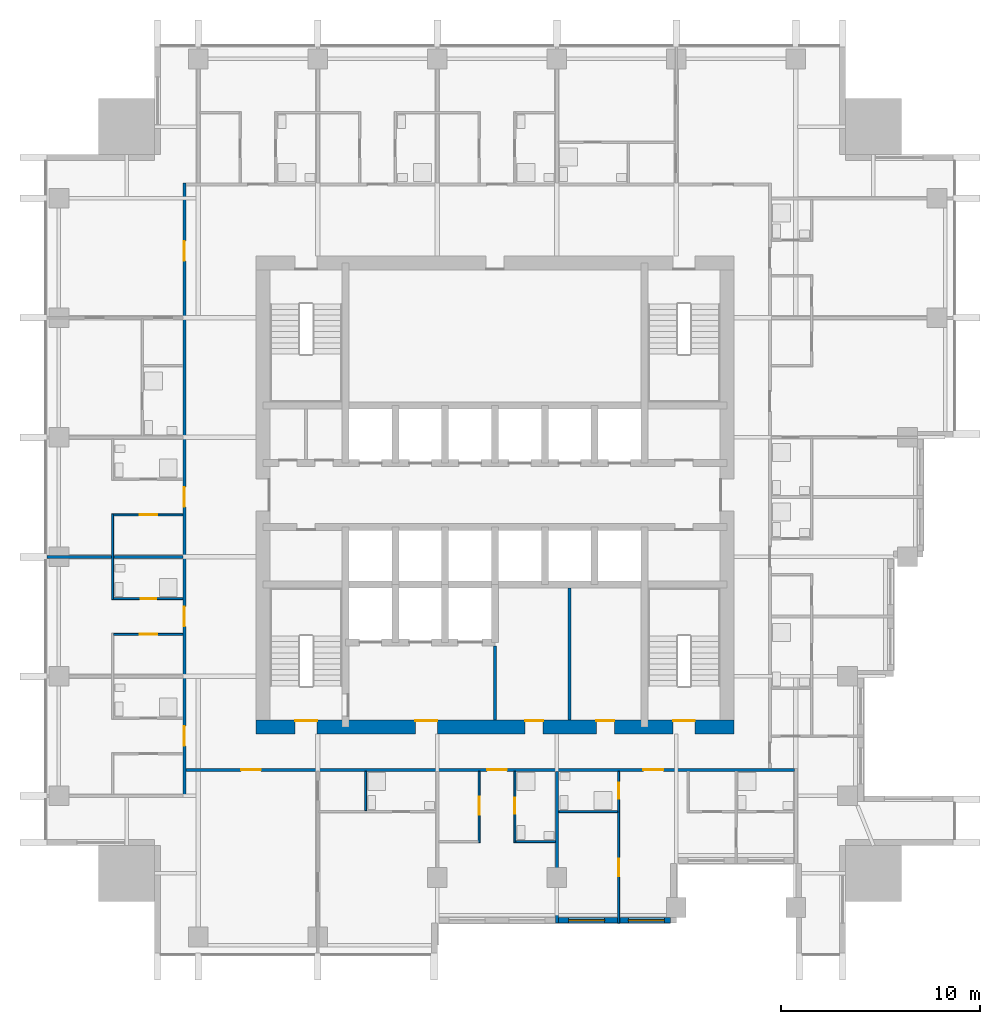
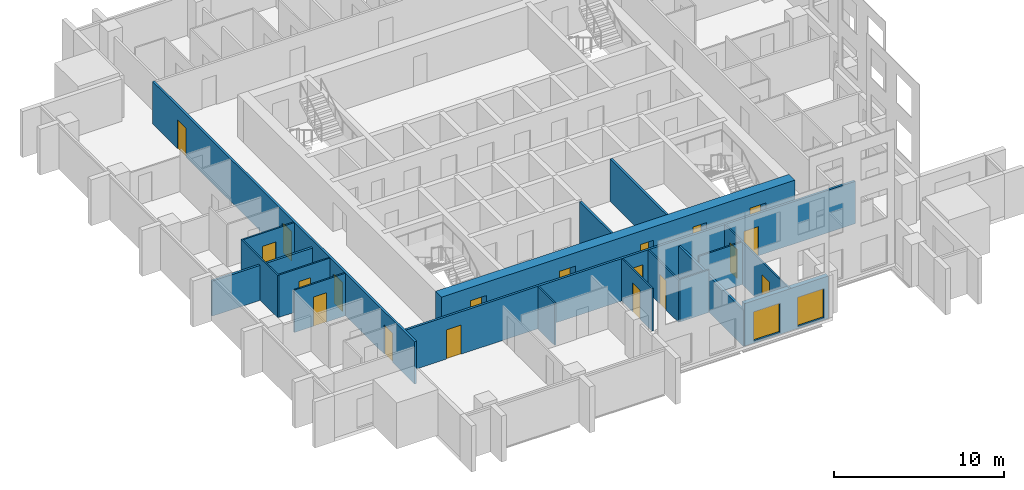
# One storey, part 4 of 11: 19 doors, 18 walls, 2 windows, 21 openings.
"""IFC4 building model written with IfcOpenShell, lengths in metres."""

from ifc_helpers import new_model, si_unit, direction, frame, frame_2d, origin, place, context, subcontext, project, spatial, rectangle, extrude, material, layer, layer_set, type_object, element, fill, save


model = new_model("IFC4")

# Units and contexts
model_context = context("Model", 3, precision=1e-05, world=origin(), true_north=direction((0.0, 1.0)))
body_context = subcontext(model_context, "Body", "Model", "MODEL_VIEW")
ifc_project = project(units=[si_unit("LENGTHUNIT", "METRE"), si_unit("AREAUNIT", "SQUARE_METRE"), si_unit("VOLUMEUNIT", "CUBIC_METRE"), si_unit("PLANEANGLEUNIT", "RADIAN"), si_unit("MASSUNIT", "GRAM", prefix="KILO")], contexts=[model_context])

# Site, building, storey
site_placement = place(None, origin())
site = spatial("IfcSite", under=ifc_project, at=site_placement, CompositionType="ELEMENT")
building_placement = place(site_placement, origin())
building = spatial("IfcBuilding", under=site, at=building_placement, Name="Amberfall Residences", CompositionType="ELEMENT")
storey_placement = place(building_placement, frame((0.0, 0.0, 154.89990234375)))
storey = spatial("IfcBuildingStorey", under=building, at=storey_placement, Name="L41", CompositionType="ELEMENT", Elevation=154.89990234375)

# Wall, openings, windows
ifc_material_1 = material(Name="Pale stone cladding on insulated backing", Category="masonry")
ifc_layer_1 = layer(ifc_material_1, 0.300048828125)
ifc_layer_set_1 = layer_set([ifc_layer_1], Name="Bronze clad wall 300")
wall_type_1 = type_object("IfcWallType", Name="Bronze clad wall 300", PredefinedType="SOLIDWALL", material=ifc_layer_set_1)
wall_1_placement = place(storey_placement, frame((77.60009765625, 24.14990234375, 0.0), z_axis=(0.0, 0.0, 1.0), x_axis=(1.0, 0.0, 0.0)))
wall_1 = element("IfcWall", 1, at=wall_1_placement, inside=storey, type_object=wall_type_1, Name="Stone wall L41 S", PredefinedType="SOLIDWALL", context=body_context, shape_type="SweptSolid", body=[
    extrude(rectangle(XDim=5.699951171875, YDim=0.300048828125, at=frame_2d((2.85009765625, 0.0))), origin(), (0.0, 0.0, 1.0), 3.050048828125),
])
opening_1_placement = place(wall_1_placement, frame((0.60009765625, 0.0, 0.14990234375)))
opening_1 = element("IfcOpeningElement", 2, at=opening_1_placement, cuts=wall_1, Name="Opening WN6", PredefinedType="OPENING", context=body_context, shape_type="SweptSolid", body=[
    extrude(rectangle(XDim=1.800048828125, YDim=2.10009765625, at=frame_2d((0.89990234375, 1.050048828125))), frame((0.0, 0.159912109375, 0.0), z_axis=(0.0, -1.0, 0.0), x_axis=(1.0, 0.0, 0.0)), (0.0, 0.0, 1.0), 0.320068359375),
])
opening_2_placement = place(wall_1_placement, frame((3.60009765625, 0.0, 0.14990234375)))
opening_2 = element("IfcOpeningElement", 3, at=opening_2_placement, cuts=wall_1, Name="Opening WN6", PredefinedType="OPENING", context=body_context, shape_type="SweptSolid", body=[
    extrude(rectangle(XDim=1.800048828125, YDim=2.10009765625, at=frame_2d((0.89990234375, 1.050048828125))), frame((0.0, 0.159912109375, 0.0), z_axis=(0.0, -1.0, 0.0), x_axis=(1.0, 0.0, 0.0)), (0.0, 0.0, 1.0), 0.320068359375),
])
ifc_material_2 = material(Name="Bronze aluminium framed glazing", Category="aluminium")
window_type = type_object("IfcWindowType", Name="Glazed opening 1800 x 2100 bronze", PartitioningType="DOUBLE_PANEL_VERTICAL", PredefinedType="WINDOW", material=ifc_material_2)
window_1_placement = place(opening_1_placement, origin())
window_1 = element("IfcWindow", 4, at=window_1_placement, inside=storey, type_object=window_type, Name="Window L41 S", OverallHeight=2.10009765625, OverallWidth=1.800048828125, PartitioningType="DOUBLE_PANEL_VERTICAL", PredefinedType="WINDOW", context=body_context, shape_type="SweptSolid", body=[
    extrude(rectangle(XDim=1.800048828125, YDim=2.10009765625, at=frame_2d((0.89990234375, 1.050048828125))), frame((0.0, 0.030029296875, 0.0), z_axis=(0.0, -1.0, 0.0), x_axis=(1.0, 0.0, 0.0)), (0.0, 0.0, 1.0), 0.06005859375),
])
fill(opening_1, window_1)
window_2_placement = place(opening_2_placement, origin())
window_2 = element("IfcWindow", 5, at=window_2_placement, inside=storey, type_object=window_type, Name="Window L41 S", OverallHeight=2.10009765625, OverallWidth=1.800048828125, PartitioningType="DOUBLE_PANEL_VERTICAL", PredefinedType="WINDOW", context=body_context, shape_type="SweptSolid", body=[
    extrude(rectangle(XDim=1.800048828125, YDim=2.10009765625, at=frame_2d((0.89990234375, 1.050048828125))), frame((0.0, 0.030029296875, 0.0), z_axis=(0.0, -1.0, 0.0), x_axis=(1.0, 0.0, 0.0)), (0.0, 0.0, 1.0), 0.06005859375),
])
fill(opening_2, window_2)

# Wall, openings, doors
ifc_material_3 = material(Name="Concrete C60", Category="concrete")
ifc_layer_2 = layer(ifc_material_3, 0.699951171875)
ifc_layer_set_2 = layer_set([ifc_layer_2], Name="Core wall 700 C60")
wall_type_2 = type_object("IfcWallType", Name="Core wall 700 C60", PredefinedType="SHEAR", material=ifc_layer_set_2)
wall_2_placement = place(storey_placement, frame((62.5, 33.85009765625, 0.0), z_axis=(0.0, 0.0, 1.0), x_axis=(1.0, 0.0, 0.0)))
wall_2 = element("IfcWall", 6, at=wall_2_placement, inside=storey, type_object=wall_type_2, Name="Core wall RW5 L41 OS", PredefinedType="SHEAR", context=body_context, shape_type="SweptSolid", body=[
    extrude(rectangle(XDim=24.0, YDim=0.699951171875, at=frame_2d((12.0, 0.0))), origin(), (0.0, 0.0, 1.0), 3.050048828125),
])
opening_3_placement = place(wall_2_placement, frame((1.96240234375, 0.0, 0.0)))
opening_3 = element("IfcOpeningElement", 7, at=opening_3_placement, cuts=wall_2, Name="Opening SD1", PredefinedType="OPENING", context=body_context, shape_type="SweptSolid", body=[
    extrude(rectangle(XDim=1.10009765625, YDim=2.10009765625, at=frame_2d((0.550048828125, 1.050048828125))), frame((0.0, 0.35986328125, 0.0), z_axis=(0.0, -1.0, 0.0), x_axis=(1.0, 0.0, 0.0)), (0.0, 0.0, 1.0), 0.719970703125),
])
opening_4_placement = place(wall_2_placement, frame((20.9375, 0.0, 0.0)))
opening_4 = element("IfcOpeningElement", 8, at=opening_4_placement, cuts=wall_2, Name="Opening SD1", PredefinedType="OPENING", context=body_context, shape_type="SweptSolid", body=[
    extrude(rectangle(XDim=1.10009765625, YDim=2.10009765625, at=frame_2d((0.550048828125, 1.050048828125))), frame((0.0, 0.35986328125, 0.0), z_axis=(0.0, -1.0, 0.0), x_axis=(1.0, 0.0, 0.0)), (0.0, 0.0, 1.0), 0.719970703125),
])
opening_5_placement = place(wall_2_placement, frame((8.0, 0.0, 0.0)))
opening_5 = element("IfcOpeningElement", 9, at=opening_5_placement, cuts=wall_2, Name="Opening FL1", PredefinedType="OPENING", context=body_context, shape_type="SweptSolid", body=[
    extrude(rectangle(XDim=1.10009765625, YDim=2.10009765625, at=frame_2d((0.550048828125, 1.050048828125))), frame((0.0, 0.35986328125, 0.0), z_axis=(0.0, -1.0, 0.0), x_axis=(1.0, 0.0, 0.0)), (0.0, 0.0, 1.0), 0.719970703125),
])
opening_6_placement = place(wall_2_placement, frame((13.512451171875, 0.0, 0.0)))
opening_6 = element("IfcOpeningElement", 10, at=opening_6_placement, cuts=wall_2, Name="Opening RD1", PredefinedType="OPENING", context=body_context, shape_type="SweptSolid", body=[
    extrude(rectangle(XDim=0.89990234375, YDim=2.10009765625, at=frame_2d((0.449951171875, 1.050048828125))), frame((0.0, 0.35986328125, 0.0), z_axis=(0.0, -1.0, 0.0), x_axis=(1.0, 0.0, 0.0)), (0.0, 0.0, 1.0), 0.719970703125),
])
opening_7_placement = place(wall_2_placement, frame((17.08740234375, 0.0, 0.0)))
opening_7 = element("IfcOpeningElement", 11, at=opening_7_placement, cuts=wall_2, Name="Opening RD1", PredefinedType="OPENING", context=body_context, shape_type="SweptSolid", body=[
    extrude(rectangle(XDim=0.89990234375, YDim=2.10009765625, at=frame_2d((0.449951171875, 1.050048828125))), frame((0.0, 0.35986328125, 0.0), z_axis=(0.0, -1.0, 0.0), x_axis=(1.0, 0.0, 0.0)), (0.0, 0.0, 1.0), 0.719970703125),
])
ifc_material_4 = material(Name="Steel fire door set", Category="steel")
door_type_1 = type_object("IfcDoorType", Name="Firefighting lobby door 1100 x 2100", OperationType="SINGLE_SWING_LEFT", PredefinedType="DOOR", material=ifc_material_4)
door_1_placement = place(opening_5_placement, origin())
door_1 = element("IfcDoor", 12, at=door_1_placement, inside=storey, type_object=door_type_1, Name="FL1 L41", OperationType="SINGLE_SWING_LEFT", OverallHeight=2.10009765625, OverallWidth=1.10009765625, PredefinedType="DOOR", context=body_context, shape_type="SweptSolid", body=[
    extrude(rectangle(XDim=1.10009765625, YDim=2.10009765625, at=frame_2d((0.550048828125, 1.050048828125))), frame((0.0, 0.33740234375, 0.0), z_axis=(0.0, -1.0, 0.0), x_axis=(1.0, 0.0, 0.0)), (0.0, 0.0, 1.0), 0.050048828125),
])
fill(opening_5, door_1)
door_type_2 = type_object("IfcDoorType", Name="Service room door 900 x 2100", OperationType="SINGLE_SWING_LEFT", PredefinedType="DOOR", material=ifc_material_4)
door_2_placement = place(opening_6_placement, origin())
door_2 = element("IfcDoor", 13, at=door_2_placement, inside=storey, type_object=door_type_2, Name="RD1 L41", OperationType="SINGLE_SWING_LEFT", OverallHeight=2.10009765625, OverallWidth=0.89990234375, PredefinedType="DOOR", context=body_context, shape_type="SweptSolid", body=[
    extrude(rectangle(XDim=0.89990234375, YDim=2.10009765625, at=frame_2d((0.449951171875, 1.050048828125))), frame((0.0, 0.33740234375, 0.0), z_axis=(0.0, -1.0, 0.0), x_axis=(1.0, 0.0, 0.0)), (0.0, 0.0, 1.0), 0.050048828125),
])
fill(opening_6, door_2)
door_3_placement = place(opening_7_placement, origin())
door_3 = element("IfcDoor", 14, at=door_3_placement, inside=storey, type_object=door_type_2, Name="RD1 L41", OperationType="SINGLE_SWING_LEFT", OverallHeight=2.10009765625, OverallWidth=0.89990234375, PredefinedType="DOOR", context=body_context, shape_type="SweptSolid", body=[
    extrude(rectangle(XDim=0.89990234375, YDim=2.10009765625, at=frame_2d((0.449951171875, 1.050048828125))), frame((0.0, 0.33740234375, 0.0), z_axis=(0.0, -1.0, 0.0), x_axis=(1.0, 0.0, 0.0)), (0.0, 0.0, 1.0), 0.050048828125),
])
fill(opening_7, door_3)
door_type_3 = type_object("IfcDoorType", Name="Stair door 1100 x 2100", OperationType="SINGLE_SWING_LEFT", PredefinedType="DOOR", material=ifc_material_4)
door_4_placement = place(opening_3_placement, origin())
door_4 = element("IfcDoor", 15, at=door_4_placement, inside=storey, type_object=door_type_3, Name="SD1 L41", OperationType="SINGLE_SWING_LEFT", OverallHeight=2.10009765625, OverallWidth=1.10009765625, PredefinedType="DOOR", context=body_context, shape_type="SweptSolid", body=[
    extrude(rectangle(XDim=1.10009765625, YDim=2.10009765625, at=frame_2d((0.550048828125, 1.050048828125))), frame((0.0, 0.33740234375, 0.0), z_axis=(0.0, -1.0, 0.0), x_axis=(1.0, 0.0, 0.0)), (0.0, 0.0, 1.0), 0.050048828125),
])
fill(opening_3, door_4)
door_5_placement = place(opening_4_placement, origin())
door_5 = element("IfcDoor", 16, at=door_5_placement, inside=storey, type_object=door_type_3, Name="SD1 L41", OperationType="SINGLE_SWING_RIGHT", OverallHeight=2.10009765625, OverallWidth=1.10009765625, PredefinedType="DOOR", context=body_context, shape_type="SweptSolid", body=[
    extrude(rectangle(XDim=1.10009765625, YDim=2.10009765625, at=frame_2d((0.550048828125, 1.050048828125))), frame((0.0, 0.33740234375, 0.0), z_axis=(0.0, -1.0, 0.0), x_axis=(1.0, 0.0, 0.0)), (0.0, 0.0, 1.0), 0.050048828125),
])
fill(opening_4, door_5)

# Walls
ifc_material_5 = material(Name="Gypsum board on metal stud")
ifc_layer_3 = layer(ifc_material_5, 0.10009765625)
ifc_layer_set_3 = layer_set([ifc_layer_3], Name="Flat partition 100")
wall_type_3 = type_object("IfcWallType", Name="Flat partition 100", PredefinedType="PARTITIONING", material=ifc_layer_set_3)
wall_3_placement = place(storey_placement, frame((55.300048828125, 40.25, 0.0), z_axis=(0.0, 0.0, 1.0), x_axis=(0.0, 1.0, 0.0)))
element("IfcWall", 17, at=wall_3_placement, inside=storey, type_object=wall_type_3, Name="Partition 003", PredefinedType="PARTITIONING", context=body_context, shape_type="SweptSolid", body=[
    extrude(rectangle(XDim=4.300048828125, YDim=0.10009765625, at=frame_2d((2.14990234375, 0.0))), origin(), (0.0, 0.0, 1.0), 3.050048828125),
])
wall_4_placement = place(storey_placement, frame((68.0, 29.64990234375, 0.0), z_axis=(0.0, 0.0, 1.0), x_axis=(0.0, 1.0, 0.0)))
element("IfcWall", 18, at=wall_4_placement, inside=storey, type_object=wall_type_3, Name="Partition 010", PredefinedType="PARTITIONING", context=body_context, shape_type="SweptSolid", body=[
    extrude(rectangle(XDim=1.97509765625, YDim=0.10009765625, at=frame_2d((0.987548828125, 0.0))), origin(), (0.0, 0.0, 1.0), 3.050048828125),
])

# Wall, opening, door
wall_5_placement = place(storey_placement, frame((73.699951171875, 28.050048828125, 0.0), z_axis=(0.0, 0.0, 1.0), x_axis=(0.0, 1.0, 0.0)))
wall_5 = element("IfcWall", 19, at=wall_5_placement, inside=storey, type_object=wall_type_3, Name="Partition 012", PredefinedType="PARTITIONING", context=body_context, shape_type="SweptSolid", body=[
    extrude(rectangle(XDim=3.574951171875, YDim=0.10009765625, at=frame_2d((1.78759765625, 0.0))), origin(), (0.0, 0.0, 1.0), 3.050048828125),
])
opening_8_placement = place(wall_5_placement, frame((1.39990234375, 0.0, 0.0)))
opening_8 = element("IfcOpeningElement", 20, at=opening_8_placement, cuts=wall_5, Name="Opening D41", PredefinedType="OPENING", context=body_context, shape_type="SweptSolid", body=[
    extrude(rectangle(XDim=0.89990234375, YDim=2.10009765625, at=frame_2d((0.449951171875, 1.050048828125))), frame((0.0, 0.06005859375, 0.0), z_axis=(0.0, -1.0, 0.0), x_axis=(1.0, 0.0, 0.0)), (0.0, 0.0, 1.0), 0.1201171875),
])
ifc_material_6 = material(Name="Timber", Category="wood")
door_type_4 = type_object("IfcDoorType", Name="Internal door 900 x 2100", OperationType="SINGLE_SWING_LEFT", PredefinedType="DOOR", material=ifc_material_6)
door_6_placement = place(opening_8_placement, origin())
door_6 = element("IfcDoor", 21, at=door_6_placement, inside=storey, type_object=door_type_4, Name="Door 4102 kitchen", OperationType="SINGLE_SWING_LEFT", OverallHeight=2.10009765625, OverallWidth=0.89990234375, PredefinedType="DOOR", context=body_context, shape_type="SweptSolid", body=[
    extrude(rectangle(XDim=0.89990234375, YDim=2.10009765625, at=frame_2d((0.449951171875, 1.050048828125))), frame((0.0, 0.02490234375, 0.0), z_axis=(0.0, -1.0, 0.0), x_axis=(1.0, 0.0, 0.0)), (0.0, 0.0, 1.0), 0.050048828125),
])
fill(opening_8, door_6)

wall_6_placement = place(storey_placement, frame((75.5, 31.625, 0.0), z_axis=(0.0, 0.0, 1.0), x_axis=(0.0, -1.0, 0.0)))
wall_6 = element("IfcWall", 22, at=wall_6_placement, inside=storey, type_object=wall_type_3, Name="Partition 014", PredefinedType="PARTITIONING", context=body_context, shape_type="SweptSolid", body=[
    extrude(rectangle(XDim=3.574951171875, YDim=0.10009765625, at=frame_2d((1.78759765625, 0.0))), origin(), (0.0, 0.0, 1.0), 3.050048828125),
])
opening_9_placement = place(wall_6_placement, frame((1.324951171875, 0.0, 0.0)))
opening_9 = element("IfcOpeningElement", 23, at=opening_9_placement, cuts=wall_6, Name="Opening D42", PredefinedType="OPENING", context=body_context, shape_type="SweptSolid", body=[
    extrude(rectangle(XDim=0.800048828125, YDim=2.10009765625, at=frame_2d((0.39990234375, 1.050048828125))), frame((0.0, 0.06005859375, 0.0), z_axis=(0.0, -1.0, 0.0), x_axis=(1.0, 0.0, 0.0)), (0.0, 0.0, 1.0), 0.1201171875),
])
door_type_5 = type_object("IfcDoorType", Name="Bathroom door 800 x 2100", OperationType="SINGLE_SWING_LEFT", PredefinedType="DOOR", material=ifc_material_6)
door_7_placement = place(opening_9_placement, origin())
door_7 = element("IfcDoor", 24, at=door_7_placement, inside=storey, type_object=door_type_5, Name="Door 4102 bath1", OperationType="SINGLE_SWING_LEFT", OverallHeight=2.10009765625, OverallWidth=0.800048828125, PredefinedType="DOOR", context=body_context, shape_type="SweptSolid", body=[
    extrude(rectangle(XDim=0.800048828125, YDim=2.10009765625, at=frame_2d((0.39990234375, 1.050048828125))), frame((0.0, 0.02490234375, 0.0), z_axis=(0.0, -1.0, 0.0), x_axis=(1.0, 0.0, 0.0)), (0.0, 0.0, 1.0), 0.050048828125),
])
fill(opening_9, door_7)

# Wall, openings, doors
wall_7_placement = place(storey_placement, frame((80.699951171875, 24.0, 0.0), z_axis=(0.0, 0.0, 1.0), x_axis=(0.0, 1.0, 0.0)))
wall_7 = element("IfcWall", 25, at=wall_7_placement, inside=storey, type_object=wall_type_3, Name="Partition 016", PredefinedType="PARTITIONING", context=body_context, shape_type="SweptSolid", body=[
    extrude(rectangle(XDim=7.625, YDim=0.10009765625, at=frame_2d((3.8125, 0.0))), origin(), (0.0, 0.0, 1.0), 3.050048828125),
])
opening_10_placement = place(wall_7_placement, frame((2.35009765625, 0.0, 0.0)))
opening_10 = element("IfcOpeningElement", 26, at=opening_10_placement, cuts=wall_7, Name="Opening D41", PredefinedType="OPENING", context=body_context, shape_type="SweptSolid", body=[
    extrude(rectangle(XDim=0.89990234375, YDim=2.10009765625, at=frame_2d((0.449951171875, 1.050048828125))), frame((0.0, 0.06005859375, 0.0), z_axis=(0.0, -1.0, 0.0), x_axis=(1.0, 0.0, 0.0)), (0.0, 0.0, 1.0), 0.1201171875),
])
opening_11_placement = place(wall_7_placement, frame((6.25, 0.0, 0.0)))
opening_11 = element("IfcOpeningElement", 27, at=opening_11_placement, cuts=wall_7, Name="Opening D42", PredefinedType="OPENING", context=body_context, shape_type="SweptSolid", body=[
    extrude(rectangle(XDim=0.800048828125, YDim=2.10009765625, at=frame_2d((0.39990234375, 1.050048828125))), frame((0.0, 0.06005859375, 0.0), z_axis=(0.0, -1.0, 0.0), x_axis=(1.0, 0.0, 0.0)), (0.0, 0.0, 1.0), 0.1201171875),
])
door_8_placement = place(opening_11_placement, origin())
door_8 = element("IfcDoor", 28, at=door_8_placement, inside=storey, type_object=door_type_5, Name="Door 4103 bath1", OperationType="SINGLE_SWING_LEFT", OverallHeight=2.10009765625, OverallWidth=0.800048828125, PredefinedType="DOOR", context=body_context, shape_type="SweptSolid", body=[
    extrude(rectangle(XDim=0.800048828125, YDim=2.10009765625, at=frame_2d((0.39990234375, 1.050048828125))), frame((0.0, 0.02490234375, 0.0), z_axis=(0.0, -1.0, 0.0), x_axis=(1.0, 0.0, 0.0)), (0.0, 0.0, 1.0), 0.050048828125),
])
fill(opening_11, door_8)
door_9_placement = place(opening_10_placement, origin())
door_9 = element("IfcDoor", 29, at=door_9_placement, inside=storey, type_object=door_type_4, Name="Door 4103 bedroom1", OperationType="SINGLE_SWING_LEFT", OverallHeight=2.10009765625, OverallWidth=0.89990234375, PredefinedType="DOOR", context=body_context, shape_type="SweptSolid", body=[
    extrude(rectangle(XDim=0.89990234375, YDim=2.10009765625, at=frame_2d((0.449951171875, 1.050048828125))), frame((0.0, 0.02490234375, 0.0), z_axis=(0.0, -1.0, 0.0), x_axis=(1.0, 0.0, 0.0)), (0.0, 0.0, 1.0), 0.050048828125),
])
fill(opening_10, door_9)

# Wall, opening, door
wall_8_placement = place(storey_placement, frame((58.824951171875, 44.5, 0.0), z_axis=(0.0, 0.0, 1.0), x_axis=(-1.0, 0.0, 0.0)))
wall_8 = element("IfcWall", 30, at=wall_8_placement, inside=storey, type_object=wall_type_3, Name="Partition 037", PredefinedType="PARTITIONING", context=body_context, shape_type="SweptSolid", body=[
    extrude(rectangle(XDim=3.474853515625, YDim=0.10009765625, at=frame_2d((1.7373046875, 0.0))), origin(), (0.0, 0.0, 1.0), 3.050048828125),
])
opening_12_placement = place(wall_8_placement, frame((1.27490234375, 0.0, 0.0)))
opening_12 = element("IfcOpeningElement", 31, at=opening_12_placement, cuts=wall_8, Name="Opening D41", PredefinedType="OPENING", context=body_context, shape_type="SweptSolid", body=[
    extrude(rectangle(XDim=0.89990234375, YDim=2.10009765625, at=frame_2d((0.449951171875, 1.050048828125))), frame((0.0, 0.06005859375, 0.0), z_axis=(0.0, -1.0, 0.0), x_axis=(1.0, 0.0, 0.0)), (0.0, 0.0, 1.0), 0.1201171875),
])
door_10_placement = place(opening_12_placement, origin())
door_10 = element("IfcDoor", 32, at=door_10_placement, inside=storey, type_object=door_type_4, Name="Door 4114 kitchen", OperationType="SINGLE_SWING_LEFT", OverallHeight=2.10009765625, OverallWidth=0.89990234375, PredefinedType="DOOR", context=body_context, shape_type="SweptSolid", body=[
    extrude(rectangle(XDim=0.89990234375, YDim=2.10009765625, at=frame_2d((0.449951171875, 1.050048828125))), frame((0.0, 0.02490234375, 0.0), z_axis=(0.0, -1.0, 0.0), x_axis=(1.0, 0.0, 0.0)), (0.0, 0.0, 1.0), 0.050048828125),
])
fill(opening_12, door_10)

wall_9_placement = place(storey_placement, frame((55.35009765625, 40.300048828125, 0.0), z_axis=(0.0, 0.0, 1.0), x_axis=(1.0, 0.0, 0.0)))
wall_9 = element("IfcWall", 33, at=wall_9_placement, inside=storey, type_object=wall_type_3, Name="Partition 040", PredefinedType="PARTITIONING", context=body_context, shape_type="SweptSolid", body=[
    extrude(rectangle(XDim=3.474853515625, YDim=0.10009765625, at=frame_2d((1.7373046875, 0.0))), origin(), (0.0, 0.0, 1.0), 3.050048828125),
])
opening_13_placement = place(wall_9_placement, frame((1.35009765625, 0.0, 0.0)))
opening_13 = element("IfcOpeningElement", 34, at=opening_13_placement, cuts=wall_9, Name="Opening D42", PredefinedType="OPENING", context=body_context, shape_type="SweptSolid", body=[
    extrude(rectangle(XDim=0.800048828125, YDim=2.10009765625, at=frame_2d((0.39990234375, 1.050048828125))), frame((0.0, 0.06005859375, 0.0), z_axis=(0.0, -1.0, 0.0), x_axis=(1.0, 0.0, 0.0)), (0.0, 0.0, 1.0), 0.1201171875),
])
door_11_placement = place(opening_13_placement, origin())
door_11 = element("IfcDoor", 35, at=door_11_placement, inside=storey, type_object=door_type_5, Name="Door 4113 bath1", OperationType="SINGLE_SWING_LEFT", OverallHeight=2.10009765625, OverallWidth=0.800048828125, PredefinedType="DOOR", context=body_context, shape_type="SweptSolid", body=[
    extrude(rectangle(XDim=0.800048828125, YDim=2.10009765625, at=frame_2d((0.39990234375, 1.050048828125))), frame((0.0, 0.02490234375, 0.0), z_axis=(0.0, -1.0, 0.0), x_axis=(1.0, 0.0, 0.0)), (0.0, 0.0, 1.0), 0.050048828125),
])
fill(opening_13, door_11)

wall_10_placement = place(storey_placement, frame((58.824951171875, 38.5, 0.0), z_axis=(0.0, 0.0, 1.0), x_axis=(-1.0, 0.0, 0.0)))
wall_10 = element("IfcWall", 36, at=wall_10_placement, inside=storey, type_object=wall_type_3, Name="Partition 041", PredefinedType="PARTITIONING", context=body_context, shape_type="SweptSolid", body=[
    extrude(rectangle(XDim=3.474853515625, YDim=0.10009765625, at=frame_2d((1.7373046875, 0.0))), origin(), (0.0, 0.0, 1.0), 3.050048828125),
])
opening_14_placement = place(wall_10_placement, frame((1.27490234375, 0.0, 0.0)))
opening_14 = element("IfcOpeningElement", 37, at=opening_14_placement, cuts=wall_10, Name="Opening D41", PredefinedType="OPENING", context=body_context, shape_type="SweptSolid", body=[
    extrude(rectangle(XDim=0.89990234375, YDim=2.10009765625, at=frame_2d((0.449951171875, 1.050048828125))), frame((0.0, 0.06005859375, 0.0), z_axis=(0.0, -1.0, 0.0), x_axis=(1.0, 0.0, 0.0)), (0.0, 0.0, 1.0), 0.1201171875),
])
door_12_placement = place(opening_14_placement, origin())
door_12 = element("IfcDoor", 38, at=door_12_placement, inside=storey, type_object=door_type_4, Name="Door 4113 kitchen", OperationType="SINGLE_SWING_LEFT", OverallHeight=2.10009765625, OverallWidth=0.89990234375, PredefinedType="DOOR", context=body_context, shape_type="SweptSolid", body=[
    extrude(rectangle(XDim=0.89990234375, YDim=2.10009765625, at=frame_2d((0.449951171875, 1.050048828125))), frame((0.0, 0.02490234375, 0.0), z_axis=(0.0, -1.0, 0.0), x_axis=(1.0, 0.0, 0.0)), (0.0, 0.0, 1.0), 0.050048828125),
])
fill(opening_14, door_12)

# Walls
wall_11_placement = place(storey_placement, frame((77.699951171875, 29.60009765625, 0.0), z_axis=(0.0, 0.0, 1.0), x_axis=(1.0, 0.0, 0.0)))
element("IfcWall", 39, at=wall_11_placement, inside=storey, type_object=wall_type_3, Name="Partition 047", PredefinedType="PARTITIONING", context=body_context, shape_type="SweptSolid", body=[
    extrude(rectangle(XDim=2.949951171875, YDim=0.10009765625, at=frame_2d((1.47509765625, 0.0))), origin(), (0.0, 0.0, 1.0), 3.050048828125),
])
wall_12_placement = place(storey_placement, frame((75.550048828125, 28.10009765625, 0.0), z_axis=(0.0, 0.0, 1.0), x_axis=(1.0, 0.0, 0.0)))
element("IfcWall", 40, at=wall_12_placement, inside=storey, type_object=wall_type_3, Name="Partition 050", PredefinedType="PARTITIONING", context=body_context, shape_type="SweptSolid", body=[
    extrude(rectangle(XDim=1.974853515625, YDim=0.10009765625, at=frame_2d((0.9873046875, 0.0))), origin(), (0.0, 0.0, 1.0), 3.050048828125),
])

# Wall, openings, doors
ifc_material_7 = material(Name="Blockwork, plastered", Category="masonry")
ifc_layer_4 = layer(ifc_material_7, 0.14990234375)
ifc_layer_set_4 = layer_set([ifc_layer_4], Name="Flat separating wall 150")
wall_type_4 = type_object("IfcWallType", Name="Flat separating wall 150", PredefinedType="PARTITIONING", material=ifc_layer_set_4)
wall_13_placement = place(storey_placement, frame((58.89990234375, 30.324951171875, 0.0), z_axis=(0.0, 0.0, 1.0), x_axis=(0.0, 1.0, 0.0)))
wall_13 = element("IfcWall", 41, at=wall_13_placement, inside=storey, type_object=wall_type_4, Name="Separating wall 051", PredefinedType="PARTITIONING", context=body_context, shape_type="SweptSolid", body=[
    extrude(rectangle(XDim=30.85009765625, YDim=0.14990234375, at=frame_2d((15.425048828125, 0.0))), origin(), (0.0, 0.0, 1.0), 3.050048828125),
])
opening_15_placement = place(wall_13_placement, frame((2.574951171875, 0.0, 0.0)))
opening_15 = element("IfcOpeningElement", 42, at=opening_15_placement, cuts=wall_13, Name="Opening D40", PredefinedType="OPENING", context=body_context, shape_type="SweptSolid", body=[
    extrude(rectangle(XDim=1.0, YDim=2.10009765625, at=frame_2d((0.5, 1.050048828125))), frame((0.0, 0.0849609375, 0.0), z_axis=(0.0, -1.0, 0.0), x_axis=(1.0, 0.0, 0.0)), (0.0, 0.0, 1.0), 0.169921875),
])
opening_16_placement = place(wall_13_placement, frame((8.574951171875, 0.0, 0.0)))
opening_16 = element("IfcOpeningElement", 43, at=opening_16_placement, cuts=wall_13, Name="Opening D40", PredefinedType="OPENING", context=body_context, shape_type="SweptSolid", body=[
    extrude(rectangle(XDim=1.0, YDim=2.10009765625, at=frame_2d((0.5, 1.050048828125))), frame((0.0, 0.0849609375, 0.0), z_axis=(0.0, -1.0, 0.0), x_axis=(1.0, 0.0, 0.0)), (0.0, 0.0, 1.0), 0.169921875),
])
opening_17_placement = place(wall_13_placement, frame((14.574951171875, 0.0, 0.0)))
opening_17 = element("IfcOpeningElement", 44, at=opening_17_placement, cuts=wall_13, Name="Opening D40", PredefinedType="OPENING", context=body_context, shape_type="SweptSolid", body=[
    extrude(rectangle(XDim=1.0, YDim=2.10009765625, at=frame_2d((0.5, 1.050048828125))), frame((0.0, 0.0849609375, 0.0), z_axis=(0.0, -1.0, 0.0), x_axis=(1.0, 0.0, 0.0)), (0.0, 0.0, 1.0), 0.169921875),
])
opening_18_placement = place(wall_13_placement, frame((26.925048828125, 0.0, 0.0)))
opening_18 = element("IfcOpeningElement", 45, at=opening_18_placement, cuts=wall_13, Name="Opening D40", PredefinedType="OPENING", context=body_context, shape_type="SweptSolid", body=[
    extrude(rectangle(XDim=1.0, YDim=2.10009765625, at=frame_2d((0.5, 1.050048828125))), frame((0.0, 0.0849609375, 0.0), z_axis=(0.0, -1.0, 0.0), x_axis=(1.0, 0.0, 0.0)), (0.0, 0.0, 1.0), 0.169921875),
])
ifc_material_8 = material(Name="Timber, fire-rated", Category="wood")
door_type_6 = type_object("IfcDoorType", Name="Flat entrance door FD60 1000 x 2100", OperationType="SINGLE_SWING_LEFT", PredefinedType="DOOR", material=ifc_material_8)
door_13_placement = place(opening_15_placement, origin())
door_13 = element("IfcDoor", 46, at=door_13_placement, inside=storey, type_object=door_type_6, Name="Door 4112 entrance", OperationType="SINGLE_SWING_LEFT", OverallHeight=2.10009765625, OverallWidth=1.0, PredefinedType="DOOR", context=body_context, shape_type="SweptSolid", body=[
    extrude(rectangle(XDim=1.0, YDim=2.10009765625, at=frame_2d((0.5, 1.050048828125))), frame((0.0, 0.02490234375, 0.0), z_axis=(0.0, -1.0, 0.0), x_axis=(1.0, 0.0, 0.0)), (0.0, 0.0, 1.0), 0.050048828125),
])
fill(opening_15, door_13)
door_14_placement = place(opening_16_placement, origin())
door_14 = element("IfcDoor", 47, at=door_14_placement, inside=storey, type_object=door_type_6, Name="Door 4113 entrance", OperationType="SINGLE_SWING_LEFT", OverallHeight=2.10009765625, OverallWidth=1.0, PredefinedType="DOOR", context=body_context, shape_type="SweptSolid", body=[
    extrude(rectangle(XDim=1.0, YDim=2.10009765625, at=frame_2d((0.5, 1.050048828125))), frame((0.0, 0.02490234375, 0.0), z_axis=(0.0, -1.0, 0.0), x_axis=(1.0, 0.0, 0.0)), (0.0, 0.0, 1.0), 0.050048828125),
])
fill(opening_16, door_14)
door_15_placement = place(opening_17_placement, origin())
door_15 = element("IfcDoor", 48, at=door_15_placement, inside=storey, type_object=door_type_6, Name="Door 4114 entrance", OperationType="SINGLE_SWING_LEFT", OverallHeight=2.10009765625, OverallWidth=1.0, PredefinedType="DOOR", context=body_context, shape_type="SweptSolid", body=[
    extrude(rectangle(XDim=1.0, YDim=2.10009765625, at=frame_2d((0.5, 1.050048828125))), frame((0.0, 0.02490234375, 0.0), z_axis=(0.0, -1.0, 0.0), x_axis=(1.0, 0.0, 0.0)), (0.0, 0.0, 1.0), 0.050048828125),
])
fill(opening_17, door_15)
door_16_placement = place(opening_18_placement, origin())
door_16 = element("IfcDoor", 49, at=door_16_placement, inside=storey, type_object=door_type_6, Name="Door 4115 entrance", OperationType="SINGLE_SWING_LEFT", OverallHeight=2.10009765625, OverallWidth=1.0, PredefinedType="DOOR", context=body_context, shape_type="SweptSolid", body=[
    extrude(rectangle(XDim=1.0, YDim=2.10009765625, at=frame_2d((0.5, 1.050048828125))), frame((0.0, 0.02490234375, 0.0), z_axis=(0.0, -1.0, 0.0), x_axis=(1.0, 0.0, 0.0)), (0.0, 0.0, 1.0), 0.050048828125),
])
fill(opening_18, door_16)

# Walls
wall_14_placement = place(storey_placement, frame((77.60009765625, 24.0, 0.0), z_axis=(0.0, 0.0, 1.0), x_axis=(0.0, 1.0, 0.0)))
element("IfcWall", 50, at=wall_14_placement, inside=storey, type_object=wall_type_4, Name="Separating wall 056", PredefinedType="PARTITIONING", context=body_context, shape_type="SweptSolid", body=[
    extrude(rectangle(XDim=7.625, YDim=0.14990234375, at=frame_2d((3.8125, 0.0))), origin(), (0.0, 0.0, 1.0), 2.590087890625),
])
wall_15_placement = place(storey_placement, frame((52.0, 42.39990234375, 0.0), z_axis=(0.0, 0.0, 1.0), x_axis=(1.0, 0.0, 0.0)))
element("IfcWall", 51, at=wall_15_placement, inside=storey, type_object=wall_type_4, Name="Separating wall 065", PredefinedType="PARTITIONING", context=body_context, shape_type="SweptSolid", body=[
    extrude(rectangle(XDim=6.824951171875, YDim=0.14990234375, at=frame_2d((3.41259765625, 0.0))), origin(), (0.0, 0.0, 1.0), 2.51611328125),
])

# Wall, openings, doors
wall_16_placement = place(storey_placement, frame((89.52490234375, 31.699951171875, 0.0), z_axis=(0.0, 0.0, 1.0), x_axis=(-1.0, 0.0, 0.0)))
wall_16 = element("IfcWall", 52, at=wall_16_placement, inside=storey, type_object=wall_type_4, Name="Separating wall 068", PredefinedType="PARTITIONING", context=body_context, shape_type="SweptSolid", body=[
    extrude(rectangle(XDim=30.5498046875, YDim=0.14990234375, at=frame_2d((15.27490234375, 0.0))), origin(), (0.0, 0.0, 1.0), 3.050048828125),
])
opening_19_placement = place(wall_16_placement, frame((26.77490234375, 0.0, 0.0)))
opening_19 = element("IfcOpeningElement", 53, at=opening_19_placement, cuts=wall_16, Name="Opening D40", PredefinedType="OPENING", context=body_context, shape_type="SweptSolid", body=[
    extrude(rectangle(XDim=1.0, YDim=2.10009765625, at=frame_2d((0.5, 1.050048828125))), frame((0.0, 0.0849609375, 0.0), z_axis=(0.0, -1.0, 0.0), x_axis=(1.0, 0.0, 0.0)), (0.0, 0.0, 1.0), 0.169921875),
])
opening_20_placement = place(wall_16_placement, frame((14.425048828125, 0.0, 0.0)))
opening_20 = element("IfcOpeningElement", 54, at=opening_20_placement, cuts=wall_16, Name="Opening D40", PredefinedType="OPENING", context=body_context, shape_type="SweptSolid", body=[
    extrude(rectangle(XDim=1.0, YDim=2.10009765625, at=frame_2d((0.5, 1.050048828125))), frame((0.0, 0.0849609375, 0.0), z_axis=(0.0, -1.0, 0.0), x_axis=(1.0, 0.0, 0.0)), (0.0, 0.0, 1.0), 0.169921875),
])
opening_21_placement = place(wall_16_placement, frame((6.574951171875, 0.0, 0.0)))
opening_21 = element("IfcOpeningElement", 55, at=opening_21_placement, cuts=wall_16, Name="Opening D40", PredefinedType="OPENING", context=body_context, shape_type="SweptSolid", body=[
    extrude(rectangle(XDim=1.0, YDim=2.10009765625, at=frame_2d((0.5, 1.050048828125))), frame((0.0, 0.0849609375, 0.0), z_axis=(0.0, -1.0, 0.0), x_axis=(1.0, 0.0, 0.0)), (0.0, 0.0, 1.0), 0.169921875),
])
door_17_placement = place(opening_19_placement, origin())
door_17 = element("IfcDoor", 56, at=door_17_placement, inside=storey, type_object=door_type_6, Name="Door 4101 entrance", OperationType="SINGLE_SWING_LEFT", OverallHeight=2.10009765625, OverallWidth=1.0, PredefinedType="DOOR", context=body_context, shape_type="SweptSolid", body=[
    extrude(rectangle(XDim=1.0, YDim=2.10009765625, at=frame_2d((0.5, 1.050048828125))), frame((0.0, 0.02490234375, 0.0), z_axis=(0.0, -1.0, 0.0), x_axis=(1.0, 0.0, 0.0)), (0.0, 0.0, 1.0), 0.050048828125),
])
fill(opening_19, door_17)
door_18_placement = place(opening_20_placement, origin())
door_18 = element("IfcDoor", 57, at=door_18_placement, inside=storey, type_object=door_type_6, Name="Door 4102 entrance", OperationType="SINGLE_SWING_LEFT", OverallHeight=2.10009765625, OverallWidth=1.0, PredefinedType="DOOR", context=body_context, shape_type="SweptSolid", body=[
    extrude(rectangle(XDim=1.0, YDim=2.10009765625, at=frame_2d((0.5, 1.050048828125))), frame((0.0, 0.02490234375, 0.0), z_axis=(0.0, -1.0, 0.0), x_axis=(1.0, 0.0, 0.0)), (0.0, 0.0, 1.0), 0.050048828125),
])
fill(opening_20, door_18)
door_19_placement = place(opening_21_placement, origin())
door_19 = element("IfcDoor", 58, at=door_19_placement, inside=storey, type_object=door_type_6, Name="Door 4103 entrance", OperationType="SINGLE_SWING_LEFT", OverallHeight=2.10009765625, OverallWidth=1.0, PredefinedType="DOOR", context=body_context, shape_type="SweptSolid", body=[
    extrude(rectangle(XDim=1.0, YDim=2.10009765625, at=frame_2d((0.5, 1.050048828125))), frame((0.0, 0.02490234375, 0.0), z_axis=(0.0, -1.0, 0.0), x_axis=(1.0, 0.0, 0.0)), (0.0, 0.0, 1.0), 0.050048828125),
])
fill(opening_21, door_19)

# Walls
ifc_material_9 = material(Name="Concrete blockwork", Category="masonry")
ifc_layer_5 = layer(ifc_material_9, 0.14990234375)
ifc_layer_set_5 = layer_set([ifc_layer_5], Name="Riser wall 150")
wall_type_5 = type_object("IfcWallType", Name="Riser wall 150", PredefinedType="PLUMBINGWALL", material=ifc_layer_set_5)
wall_17_placement = place(storey_placement, frame((74.5, 34.199951171875, 0.0), z_axis=(0.0, 0.0, 1.0), x_axis=(0.0, 1.0, 0.0)))
element("IfcWall", 59, at=wall_17_placement, inside=storey, type_object=wall_type_5, Name="L41 core wall PX", PredefinedType="PLUMBINGWALL", context=body_context, shape_type="SweptSolid", body=[
    extrude(rectangle(XDim=3.72509765625, YDim=0.14990234375, at=frame_2d((1.862548828125, 0.0))), origin(), (0.0, 0.0, 1.0), 3.050048828125),
])
wall_18_placement = place(storey_placement, frame((78.25, 34.199951171875, 0.0), z_axis=(0.0, 0.0, 1.0), x_axis=(0.0, 1.0, 0.0)))
element("IfcWall", 60, at=wall_18_placement, inside=storey, type_object=wall_type_5, Name="L41 core wall E0", PredefinedType="PLUMBINGWALL", context=body_context, shape_type="SweptSolid", body=[
    extrude(rectangle(XDim=6.625, YDim=0.14990234375, at=frame_2d((3.3125, 0.0))), origin(), (0.0, 0.0, 1.0), 3.050048828125),
])

save(model, "model.ifc")
